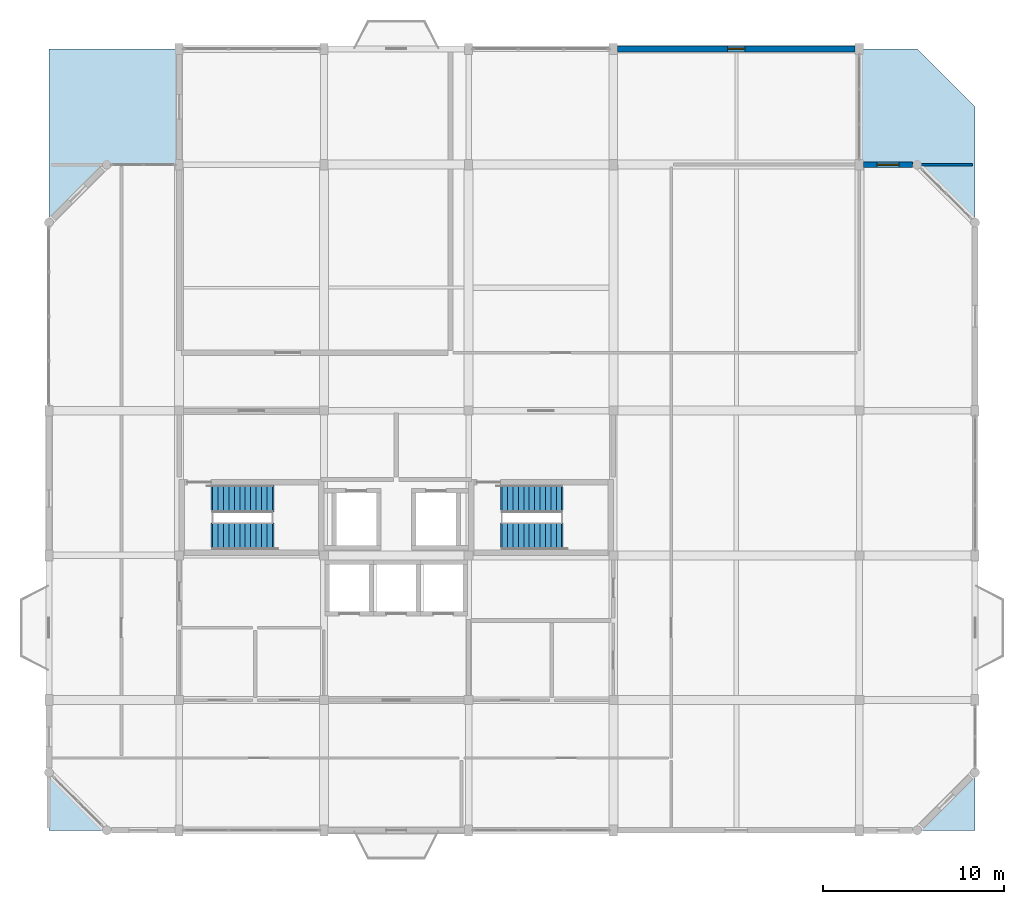
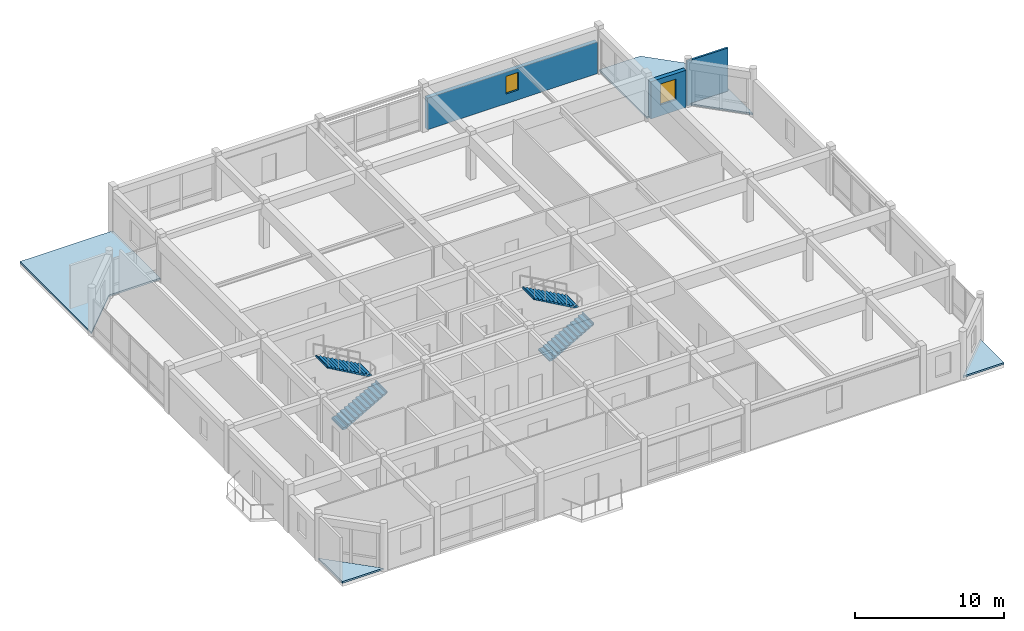
# One storey, part 11 of 12: 4 roofs, 4 stair flights, 3 walls, 2 windows, 2 openings, 2 elements without a shape of their own.
"""IFC4 building model written with IfcOpenShell, lengths in metres."""

from ifc_helpers import new_model, si_unit, direction, frame, frame_2d, origin, place, context, subcontext, project, spatial, polyline, rectangle, outline, extrude, material, layer, layer_set, type_object, element, fill, aggregate, save


model = new_model("IFC4")

# Units and contexts
model_context = context("Model", 3, precision=1e-05, world=origin(), true_north=direction((0.0, 1.0)))
body_context = subcontext(model_context, "Body", "Model", "MODEL_VIEW")
ifc_project = project(units=[si_unit("LENGTHUNIT", "METRE"), si_unit("AREAUNIT", "SQUARE_METRE"), si_unit("VOLUMEUNIT", "CUBIC_METRE"), si_unit("PLANEANGLEUNIT", "RADIAN"), si_unit("MASSUNIT", "GRAM", prefix="KILO")], contexts=[model_context])

# Site, building, storey
site_placement = place(None, origin())
site = spatial("IfcSite", under=ifc_project, at=site_placement, CompositionType="ELEMENT")
building_placement = place(site_placement, origin())
building = spatial("IfcBuilding", under=site, at=building_placement, Name="Vellmiral Cinema and Media Centre", CompositionType="ELEMENT")
storey_placement = place(building_placement, frame((0.0, 0.0, 62.64990234375)))
storey = spatial("IfcBuildingStorey", under=building, at=storey_placement, Name="L15", CompositionType="ELEMENT", Elevation=62.64990234375)

# Wall, opening, window
ifc_material_1 = material(Name="Polychrome Glazed Ceramic Cladding", Category="masonry")
ifc_layer_1 = layer(ifc_material_1, 0.320068359375, Name="Polychrome Glazed Ceramic Cladding")
ifc_layer_set_1 = layer_set([ifc_layer_1], Name="Polychrome Glazed Ceramic Cladding")
wall_type_1 = type_object("IfcWallType", Name="WL-EXT-BRICK-320", PredefinedType="SOLIDWALL", material=ifc_layer_set_1)
wall_1_placement = place(storey_placement, frame((164.550048828125, 108.800048828125, 0.0), z_axis=(0.0, 0.0, 1.0), x_axis=(-1.0, 0.0, 0.0)))
wall_1 = element("IfcWall", 1, at=wall_1_placement, inside=storey, type_object=wall_type_1, Name="Exterior Facade Wall L15-013", PredefinedType="SOLIDWALL", context=body_context, shape_type="SweptSolid", body=[
    extrude(rectangle(XDim=2.72509765625, YDim=0.320068359375, at=frame_2d((1.362548828125, 0.0))), origin(), (0.0, 0.0, 1.0), 3.050048828125),
])
opening_1_placement = place(wall_1_placement, frame((0.762451171875, 0.0, 0.89990234375)))
opening_1 = element("IfcOpeningElement", 2, at=opening_1_placement, cuts=wall_1, Name="Opening WN-10", PredefinedType="OPENING", context=body_context, shape_type="SweptSolid", body=[
    extrude(rectangle(XDim=1.199951171875, YDim=1.699951171875, at=frame_2d((0.60009765625, 0.85009765625))), frame((0.0, 0.171875, 0.0), z_axis=(0.0, -1.0, 0.0), x_axis=(1.0, 0.0, 0.0)), (0.0, 0.0, 1.0), 0.343994140625),
])
ifc_material_2 = material(Name="Thermally Broken Aluminium Triple Glazing", Category="aluminium")
window_type_1 = type_object("IfcWindowType", Name="WN-1200x1700", PartitioningType="SINGLE_PANEL", PredefinedType="WINDOW", material=ifc_material_2)
window_1_placement = place(opening_1_placement, origin())
window_1 = element("IfcWindow", 3, at=window_1_placement, inside=storey, type_object=window_type_1, Name="Window L15-013", OverallHeight=1.699951171875, OverallWidth=1.199951171875, PartitioningType="SINGLE_PANEL", PredefinedType="WINDOW", context=body_context, shape_type="SweptSolid", body=[
    extrude(rectangle(XDim=1.199951171875, YDim=1.699951171875, at=frame_2d((0.60009765625, 0.85009765625))), frame((0.0, 0.030029296875, 0.0), z_axis=(0.0, -1.0, 0.0), x_axis=(1.0, 0.0, 0.0)), (0.0, 0.0, 1.0), 0.06005859375),
])
fill(opening_1, window_1)

wall_2_placement = place(storey_placement, frame((161.375, 115.199951171875, 0.0), z_axis=(0.0, 0.0, 1.0), x_axis=(-1.0, 0.0, 0.0)))
wall_2 = element("IfcWall", 4, at=wall_2_placement, inside=storey, type_object=wall_type_1, Name="Exterior Facade Wall L15-015", PredefinedType="SOLIDWALL", context=body_context, shape_type="SweptSolid", body=[
    extrude(rectangle(XDim=13.14990234375, YDim=0.320068359375, at=frame_2d((6.574951171875, 0.0))), origin(), (0.0, 0.0, 1.0), 2.585205078125),
])
opening_2_placement = place(wall_2_placement, frame((6.10009765625, 0.0, 0.800048828125)))
opening_2 = element("IfcOpeningElement", 5, at=opening_2_placement, cuts=wall_2, Name="Opening WN-12", PredefinedType="OPENING", context=body_context, shape_type="SweptSolid", body=[
    extrude(rectangle(XDim=0.949951171875, YDim=1.449951171875, at=frame_2d((0.47509765625, 0.72509765625))), frame((0.0, 0.171875, 0.0), z_axis=(0.0, -1.0, 0.0), x_axis=(1.0, 0.0, 0.0)), (0.0, 0.0, 1.0), 0.343994140625),
])
ifc_material_3 = material(Name="Thermally Broken Aluminium Triple Glazing", Category="aluminium")
window_type_2 = type_object("IfcWindowType", Name="WN-0950x1450", PartitioningType="SINGLE_PANEL", PredefinedType="WINDOW", material=ifc_material_3)
window_2_placement = place(opening_2_placement, origin())
window_2 = element("IfcWindow", 6, at=window_2_placement, inside=storey, type_object=window_type_2, Name="Window L15-015", OverallHeight=1.449951171875, OverallWidth=0.949951171875, PartitioningType="SINGLE_PANEL", PredefinedType="WINDOW", context=body_context, shape_type="SweptSolid", body=[
    extrude(rectangle(XDim=0.949951171875, YDim=1.449951171875, at=frame_2d((0.47509765625, 0.72509765625))), frame((0.0, 0.030029296875, 0.0), z_axis=(0.0, -1.0, 0.0), x_axis=(1.0, 0.0, 0.0)), (0.0, 0.0, 1.0), 0.06005859375),
])
fill(opening_2, window_2)

# Wall
ifc_material_4 = material(Name="Gypsum Plasterboard")
ifc_layer_2 = layer(ifc_material_4, 0.02490234375, Name="Gypsum Plasterboard", Category="gypsum")
ifc_material_5 = material(Name="Mineral Wool Acoustic Insulation", Category="insulation")
ifc_layer_3 = layer(ifc_material_5, 0.10009765625, Name="Mineral Wool Acoustic Insulation", Category="insulation")
ifc_layer_4 = layer(ifc_material_4, 0.02490234375, Name="Gypsum Plasterboard", Category="gypsum")
ifc_layer_set_2 = layer_set([ifc_layer_2, ifc_layer_3, ifc_layer_4], Name="Gypsum Plasterboard")
wall_type_2 = type_object("IfcWallType", Name="WL-PART-150", PredefinedType="PARTITIONING", material=ifc_layer_set_2)
wall_3_placement = place(storey_placement, frame((164.68994140625, 108.800048828125, 0.0), z_axis=(0.0, 0.0, 1.0), x_axis=(1.0, 0.0, 0.0)))
element("IfcWall", 7, at=wall_3_placement, inside=storey, type_object=wall_type_2, Name="Grand Rhine Executive Boardroom Wall N", PredefinedType="PARTITIONING", context=body_context, shape_type="SweptSolid", body=[
    extrude(rectangle(XDim=3.170166015625, YDim=0.14990234375, at=frame_2d((1.5849609375, 0.0))), origin(), (0.0, 0.0, 1.0), 3.670166015625),
])

# Stair, stair flights
ifc_material_6 = material(Name="Concrete C40/50", Category="concrete")
stair_type = type_object("IfcStairType", Name="ST-2RET-395", PredefinedType="HALF_TURN_STAIR", material=ifc_material_6)
stair_1_placement = place(storey_placement, origin())
stair_1 = element("IfcStair", 8, at=stair_1_placement, inside=storey, type_object=stair_type, Name="Protected Escape Stair ST-T1 (L15)", PredefinedType="HALF_TURN_STAIR")
ifc_material_7 = material(Name="Concrete C40/50", Category="concrete")
stair_flight_type = type_object("IfcStairFlightType", Name="STF-STR-395", PredefinedType="STRAIGHT", material=ifc_material_7)
stair_flight_1_placement = place(storey_placement, frame((125.85009765625, 88.25, 0.0), z_axis=(0.0, 0.0, 1.0), x_axis=(1.0, 0.0, 0.0)))
stair_flight_1 = element("IfcStairFlight", 9, at=stair_flight_1_placement, type_object=stair_flight_type, Name="ST-T1 flight 1", NumberOfRisers=12, NumberOfTreads=11, PredefinedType="STRAIGHT", RiserHeight=0.164583333, TreadLength=0.3, context=body_context, shape_type="SweptSolid", body=[
    extrude(outline(polyline([(-0.080078125, 0.0), (-0.080078125, 0.0986328125), (0.0, 0.16455078125), (0.300048828125, 0.16455078125), (0.300048828125, 0.3291015625), (0.60009765625, 0.3291015625), (0.60009765625, 0.49365234375), (0.89990234375, 0.49365234375), (0.89990234375, 0.658447265625), (1.199951171875, 0.658447265625), (1.199951171875, 0.822998046875), (1.5, 0.822998046875), (1.5, 0.987548828125), (1.800048828125, 0.987548828125), (1.800048828125, 1.152099609375), (2.10009765625, 1.152099609375), (2.10009765625, 1.316650390625), (2.39990234375, 1.316650390625), (2.39990234375, 1.481201171875), (2.699951171875, 1.481201171875), (2.699951171875, 1.645751953125), (3.0, 1.645751953125), (3.0, 1.810302734375), (3.300048828125, 1.810302734375), (3.300048828125, 1.97509765625), (3.380126953125, 1.97509765625), (3.380126953125, 1.815185546875), (0.179931640625, 0.0), (-0.080078125, 0.0)])), frame((0.0, 0.75, 0.0), z_axis=(0.0, -1.0, 0.0), x_axis=(1.0, 0.0, 0.0)), (0.0, 0.0, 1.0), 1.5),
])
stair_flight_2_placement = place(storey_placement, frame((129.14990234375, 90.35009765625, 1.97509765625), z_axis=(0.0, 0.0, 1.0), x_axis=(-1.0, 0.0, 0.0)))
stair_flight_2 = element("IfcStairFlight", 10, at=stair_flight_2_placement, type_object=stair_flight_type, Name="ST-T1 flight 2", NumberOfRisers=12, NumberOfTreads=11, PredefinedType="STRAIGHT", RiserHeight=0.164583333, TreadLength=0.3, context=body_context, shape_type="SweptSolid", body=[
    extrude(outline(polyline([(-0.080078125, 0.0), (-0.080078125, 0.0986328125), (0.0, 0.16455078125), (0.300048828125, 0.16455078125), (0.300048828125, 0.3291015625), (0.60009765625, 0.3291015625), (0.60009765625, 0.49365234375), (0.89990234375, 0.49365234375), (0.89990234375, 0.658447265625), (1.199951171875, 0.658447265625), (1.199951171875, 0.822998046875), (1.5, 0.822998046875), (1.5, 0.987548828125), (1.800048828125, 0.987548828125), (1.800048828125, 1.152099609375), (2.10009765625, 1.152099609375), (2.10009765625, 1.316650390625), (2.39990234375, 1.316650390625), (2.39990234375, 1.481201171875), (2.699951171875, 1.481201171875), (2.699951171875, 1.645751953125), (3.0, 1.645751953125), (3.0, 1.810302734375), (3.300048828125, 1.810302734375), (3.300048828125, 1.97509765625), (3.380126953125, 1.97509765625), (3.380126953125, 1.815185546875), (0.179931640625, 0.0), (-0.080078125, 0.0)])), frame((0.0, 0.75, 0.0), z_axis=(0.0, -1.0, 0.0), x_axis=(1.0, 0.0, 0.0)), (0.0, 0.0, 1.0), 1.5),
])
aggregate(stair_1, [stair_flight_1, stair_flight_2])

stair_2_placement = place(storey_placement, origin())
stair_2 = element("IfcStair", 11, at=stair_2_placement, inside=storey, type_object=stair_type, Name="Protected Escape Stair ST-T2 (L15)", PredefinedType="HALF_TURN_STAIR")
stair_flight_3_placement = place(storey_placement, frame((141.85009765625, 88.25, 0.0), z_axis=(0.0, 0.0, 1.0), x_axis=(1.0, 0.0, 0.0)))
stair_flight_3 = element("IfcStairFlight", 12, at=stair_flight_3_placement, type_object=stair_flight_type, Name="ST-T2 flight 1", NumberOfRisers=12, NumberOfTreads=11, PredefinedType="STRAIGHT", RiserHeight=0.164583333, TreadLength=0.3, context=body_context, shape_type="SweptSolid", body=[
    extrude(outline(polyline([(-0.080078125, 0.0), (-0.080078125, 0.0986328125), (0.0, 0.16455078125), (0.300048828125, 0.16455078125), (0.300048828125, 0.3291015625), (0.60009765625, 0.3291015625), (0.60009765625, 0.49365234375), (0.89990234375, 0.49365234375), (0.89990234375, 0.658447265625), (1.199951171875, 0.658447265625), (1.199951171875, 0.822998046875), (1.5, 0.822998046875), (1.5, 0.987548828125), (1.800048828125, 0.987548828125), (1.800048828125, 1.152099609375), (2.10009765625, 1.152099609375), (2.10009765625, 1.316650390625), (2.39990234375, 1.316650390625), (2.39990234375, 1.481201171875), (2.699951171875, 1.481201171875), (2.699951171875, 1.645751953125), (3.0, 1.645751953125), (3.0, 1.810302734375), (3.300048828125, 1.810302734375), (3.300048828125, 1.97509765625), (3.380126953125, 1.97509765625), (3.380126953125, 1.815185546875), (0.179931640625, 0.0), (-0.080078125, 0.0)])), frame((0.0, 0.75, 0.0), z_axis=(0.0, -1.0, 0.0), x_axis=(1.0, 0.0, 0.0)), (0.0, 0.0, 1.0), 1.5),
])
stair_flight_4_placement = place(storey_placement, frame((145.14990234375, 90.35009765625, 1.97509765625), z_axis=(0.0, 0.0, 1.0), x_axis=(-1.0, 0.0, 0.0)))
stair_flight_4 = element("IfcStairFlight", 13, at=stair_flight_4_placement, type_object=stair_flight_type, Name="ST-T2 flight 2", NumberOfRisers=12, NumberOfTreads=11, PredefinedType="STRAIGHT", RiserHeight=0.164583333, TreadLength=0.3, context=body_context, shape_type="SweptSolid", body=[
    extrude(outline(polyline([(-0.080078125, 0.0), (-0.080078125, 0.0986328125), (0.0, 0.16455078125), (0.300048828125, 0.16455078125), (0.300048828125, 0.3291015625), (0.60009765625, 0.3291015625), (0.60009765625, 0.49365234375), (0.89990234375, 0.49365234375), (0.89990234375, 0.658447265625), (1.199951171875, 0.658447265625), (1.199951171875, 0.822998046875), (1.5, 0.822998046875), (1.5, 0.987548828125), (1.800048828125, 0.987548828125), (1.800048828125, 1.152099609375), (2.10009765625, 1.152099609375), (2.10009765625, 1.316650390625), (2.39990234375, 1.316650390625), (2.39990234375, 1.481201171875), (2.699951171875, 1.481201171875), (2.699951171875, 1.645751953125), (3.0, 1.645751953125), (3.0, 1.810302734375), (3.300048828125, 1.810302734375), (3.300048828125, 1.97509765625), (3.380126953125, 1.97509765625), (3.380126953125, 1.815185546875), (0.179931640625, 0.0), (-0.080078125, 0.0)])), frame((0.0, 0.75, 0.0), z_axis=(0.0, -1.0, 0.0), x_axis=(1.0, 0.0, 0.0)), (0.0, 0.0, 1.0), 1.5),
])
aggregate(stair_2, [stair_flight_3, stair_flight_4])

# Roofs
ifc_material_8 = material(Name="Insulated Waterproof Roof Build-up")
ifc_layer_5 = layer(ifc_material_8, 0.139892578125, Name="Insulated Waterproof Roof Build-up")
ifc_layer_set_3 = layer_set([ifc_layer_5], Name="Insulated Waterproof Roof Build-up")
roof_type = type_object("IfcRoofType", Name="ROOF-FLAT-MEMBRANE", PredefinedType="FLAT_ROOF", material=ifc_layer_set_3)
roof_1_placement = place(storey_placement, origin())
element("IfcRoof", 14, at=roof_1_placement, inside=storey, type_object=roof_type, Name="Setback Flat Waterproof Roof SB15-NW", PredefinedType="FLAT_ROOF", context=body_context, shape_type="SweptSolid", body=[
    extrude(outline(polyline([(116.800048828125, 105.6201171875), (120.0, 108.820068359375), (123.97998046875, 108.820068359375), (123.97998046875, 115.199951171875), (116.800048828125, 115.199951171875), (116.800048828125, 105.6201171875)])), origin(), (0.0, 0.0, 1.0), 0.14013671875),
])
roof_2_placement = place(storey_placement, origin())
element("IfcRoof", 15, at=roof_2_placement, inside=storey, type_object=roof_type, Name="Setback Flat Waterproof Roof SB15-NE", PredefinedType="FLAT_ROOF", context=body_context, shape_type="SweptSolid", body=[
    extrude(outline(polyline([(161.6201171875, 108.820068359375), (164.800048828125, 108.820068359375), (168.0, 105.6201171875), (168.0, 112.0), (164.800048828125, 115.199951171875), (161.6201171875, 115.199951171875), (161.6201171875, 108.820068359375)])), origin(), (0.0, 0.0, 1.0), 0.14013671875),
])
roof_3_placement = place(storey_placement, origin())
element("IfcRoof", 16, at=roof_3_placement, inside=storey, type_object=roof_type, Name="Setback Flat Waterproof Roof SB15-SW", PredefinedType="FLAT_ROOF", context=body_context, shape_type="SweptSolid", body=[
    extrude(outline(polyline([(116.800048828125, 72.0), (119.97998046875, 72.0), (116.800048828125, 75.179931640625), (116.800048828125, 72.0)])), origin(), (0.0, 0.0, 1.0), 0.14013671875),
])
roof_4_placement = place(storey_placement, origin())
element("IfcRoof", 17, at=roof_4_placement, inside=storey, type_object=roof_type, Name="Setback Flat Waterproof Roof SB15-SE", PredefinedType="FLAT_ROOF", context=body_context, shape_type="SweptSolid", body=[
    extrude(outline(polyline([(164.820068359375, 72.0), (168.0, 72.0), (168.0, 75.179931640625), (164.820068359375, 72.0)])), origin(), (0.0, 0.0, 1.0), 0.14013671875),
])

save(model, "model.ifc")
